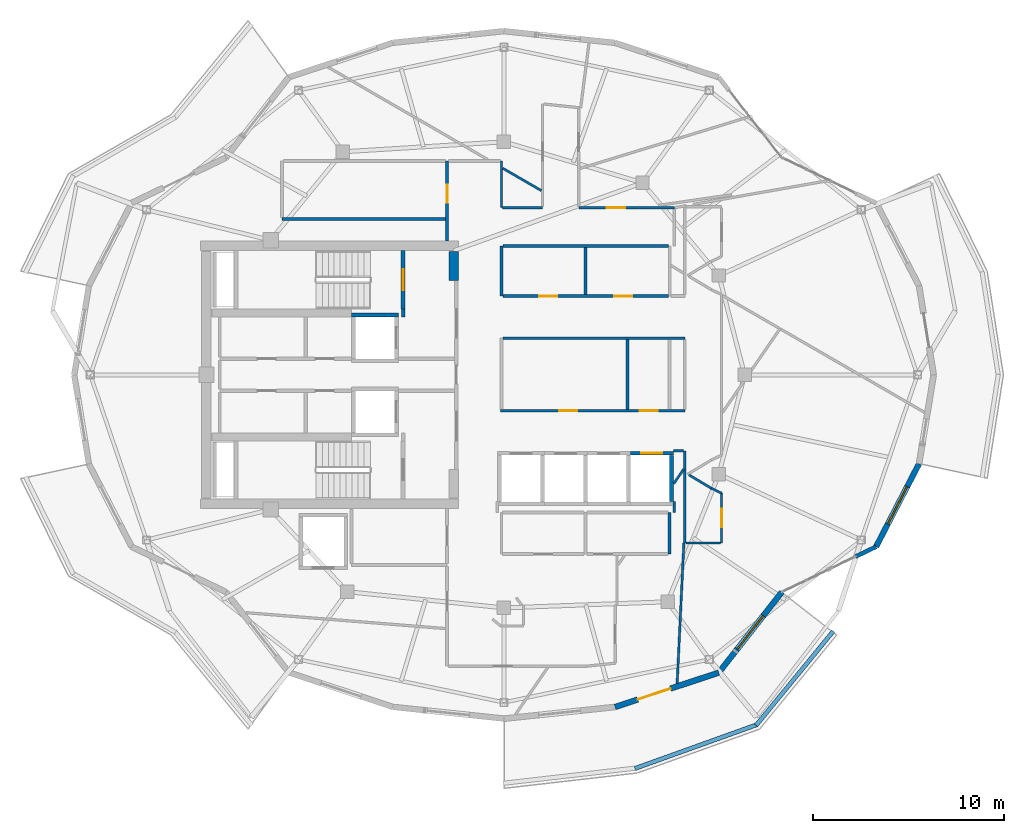
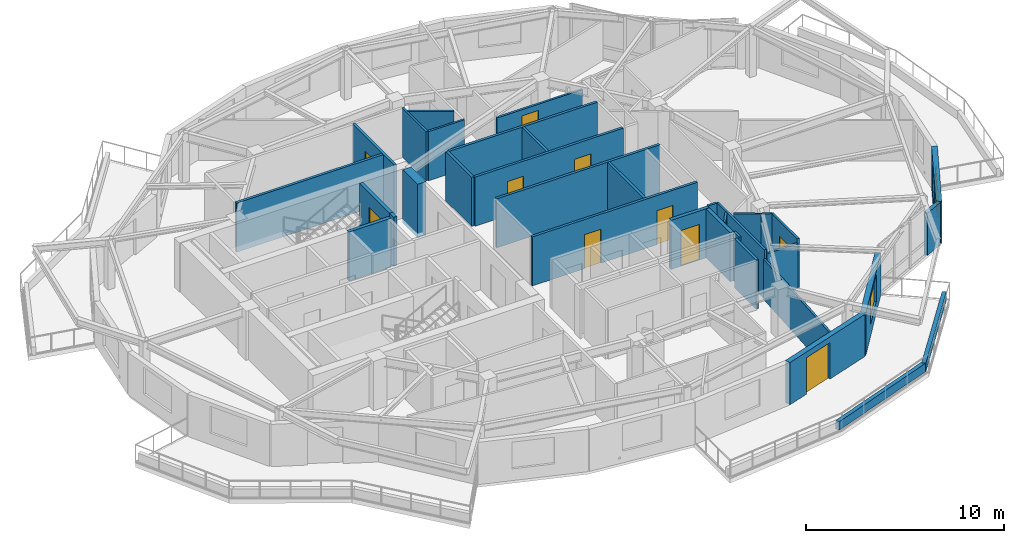
# One storey, part 9 of 14: 35 walls, 10 doors, 2 windows, 12 openings.
"""IFC4 building model written with IfcOpenShell, lengths in metres."""

from ifc_helpers import new_model, si_unit, direction, frame, frame_2d, origin, place, context, subcontext, project, spatial, rectangle, extrude, material, layer, layer_set, type_object, element, fill, save


model = new_model("IFC4")

# Units and contexts
model_context = context("Model", 3, precision=1e-05, world=origin(), true_north=direction((0.0, 1.0)))
body_context = subcontext(model_context, "Body", "Model", "MODEL_VIEW")
ifc_project = project(units=[si_unit("LENGTHUNIT", "METRE"), si_unit("AREAUNIT", "SQUARE_METRE"), si_unit("VOLUMEUNIT", "CUBIC_METRE"), si_unit("PLANEANGLEUNIT", "RADIAN"), si_unit("MASSUNIT", "GRAM", prefix="KILO")], contexts=[model_context])

# Site, building, storey
site_placement = place(None, origin())
site = spatial("IfcSite", under=ifc_project, at=site_placement, CompositionType="ELEMENT")
building_placement = place(site_placement, origin())
building = spatial("IfcBuilding", under=site, at=building_placement, Name="Kolvaren Gate Tower and Convention Centre", CompositionType="ELEMENT")
storey_placement = place(building_placement, frame((0.0, 0.0, 239.300048828125)))
storey = spatial("IfcBuildingStorey", under=building, at=storey_placement, Name="L64", CompositionType="ELEMENT", Elevation=239.300048828125)

# Walls
ifc_material_1 = material(Name="Autoclaved Aerated Masonry Blockwork Class 4 (4.0 MPa)", Category="masonry")
ifc_layer_1 = layer(ifc_material_1, 0.179931640625)
ifc_layer_set_1 = layer_set([ifc_layer_1], Name="Autoclaved Aerated Masonry Blockwork Class 4 (4.0 MPa)")
wall_type_1 = type_object("IfcWallType", Name="ARCH-WL-COMP-180", PredefinedType="SOLIDWALL", material=ifc_layer_set_1)
wall_1_placement = place(storey_placement, frame((24.85009765625, 30.0400390625, 0.0), z_axis=(0.0, 0.0, 1.0), x_axis=(0.0, 1.0, 0.0)))
element("IfcWall", 1, at=wall_1_placement, inside=storey, type_object=wall_type_1, Name="Interior Partition WL-L64-INT-002", PredefinedType="SOLIDWALL", context=body_context, shape_type="SweptSolid", body=[
    extrude(rectangle(XDim=0.419921875, YDim=0.179931640625, at=frame_2d((0.2099609375, 0.0))), origin(), (0.0, 0.0, 1.0), 3.030029296875),
])
ifc_material_2 = material(Name="Fire-Rated Acoustic Gypsum Stud Partition", Category="gypsum")
ifc_layer_2 = layer(ifc_material_2, 0.1201171875)
ifc_layer_set_2 = layer_set([ifc_layer_2], Name="Fire-Rated Acoustic Gypsum Stud Partition")
wall_type_2 = type_object("IfcWallType", Name="ARCH-WL-PART-120", PredefinedType="PARTITIONING", material=ifc_layer_set_2)
wall_2_placement = place(storey_placement, frame((30.0, 35.75, 0.0), z_axis=(0.0, 0.0, 1.0), x_axis=(0.0, 1.0, 0.0)))
element("IfcWall", 2, at=wall_2_placement, inside=storey, type_object=wall_type_2, Name="Interior Partition WL-L64-INT-017", PredefinedType="PARTITIONING", context=body_context, shape_type="SweptSolid", body=[
    extrude(rectangle(XDim=2.449951171875, YDim=0.1201171875, at=frame_2d((1.22509765625, 0.0))), origin(), (0.0, 0.0, 1.0), 3.030029296875),
])
wall_3_placement = place(storey_placement, frame((30.06201171875, 35.75, 0.0), z_axis=(0.0, 0.0, 1.0), x_axis=(1.0, 0.0, 0.0)))
element("IfcWall", 3, at=wall_3_placement, inside=storey, type_object=wall_type_2, Name="Interior Partition WL-L64-INT-032", PredefinedType="PARTITIONING", context=body_context, shape_type="SweptSolid", body=[
    extrude(rectangle(XDim=2.087890625, YDim=0.1201171875, at=frame_2d((1.0439453125, 0.0))), origin(), (0.0, 0.0, 1.0), 3.030029296875),
])

# Wall, opening, door
wall_4_placement = place(storey_placement, frame((34.050048828125, 35.75, 0.0), z_axis=(0.0, 0.0, 1.0), x_axis=(1.0, 0.0, 0.0)))
wall_4 = element("IfcWall", 4, at=wall_4_placement, inside=storey, type_object=wall_type_2, Name="Interior Partition WL-L64-INT-033", PredefinedType="PARTITIONING", context=body_context, shape_type="SweptSolid", body=[
    extrude(rectangle(XDim=5.0, YDim=0.1201171875, at=frame_2d((2.5, 0.0))), origin(), (0.0, 0.0, 1.0), 2.47802734375),
])
opening_1_placement = place(wall_4_placement, frame((1.465087890625, 0.0, 0.0)))
opening_1 = element("IfcOpeningElement", 5, at=opening_1_placement, cuts=wall_4, Name="Opening DR-01", PredefinedType="OPENING", context=body_context, shape_type="SweptSolid", body=[
    extrude(rectangle(XDim=0.949951171875, YDim=2.10009765625, at=frame_2d((0.47509765625, 1.050048828125))), frame((0.0, 0.070068359375, 0.0), z_axis=(0.0, -1.0, 0.0), x_axis=(1.0, 0.0, 0.0)), (0.0, 0.0, 1.0), 0.14013671875),
])
ifc_material_3 = material(Name="Painted Architectural Steelwork ASTM A500 Grade C 345 MPa", Category="steel")
door_type_1 = type_object("IfcDoorType", Name="ARCH-DR-RISER-950", OperationType="SINGLE_SWING_RIGHT", PredefinedType="DOOR", material=ifc_material_3)
door_1_placement = place(opening_1_placement, origin())
door_1 = element("IfcDoor", 6, at=door_1_placement, inside=storey, type_object=door_type_1, Name="Resident Gourmet Market Boutique Door", OperationType="SINGLE_SWING_LEFT", OverallHeight=2.10009765625, OverallWidth=0.949951171875, PredefinedType="DOOR", context=body_context, shape_type="SweptSolid", body=[
    extrude(rectangle(XDim=0.949951171875, YDim=2.10009765625, at=frame_2d((0.47509765625, 1.050048828125))), frame((0.0, 0.02490234375, 0.0), z_axis=(0.0, -1.0, 0.0), x_axis=(1.0, 0.0, 0.0)), (0.0, 0.0, 1.0), 0.050048828125),
])
fill(opening_1, door_1)

# Walls
wall_5_placement = place(storey_placement, frame((39.050048828125, 19.800048828125, 0.0), z_axis=(0.0, 0.0, 1.0), x_axis=(0.0, 1.0, 0.0)))
element("IfcWall", 7, at=wall_5_placement, inside=storey, type_object=wall_type_2, Name="Interior Partition WL-L64-INT-037", PredefinedType="PARTITIONING", context=body_context, shape_type="SweptSolid", body=[
    extrude(rectangle(XDim=0.56005859375, YDim=0.1201171875, at=frame_2d((0.280029296875, 0.0))), origin(), (0.0, 0.0, 1.0), 3.030029296875),
])
wall_6_placement = place(storey_placement, frame((39.60009765625, 18.199951171875, 0.0), z_axis=(0.0, 0.0, 1.0), x_axis=(0.0, 1.0, 0.0)))
element("IfcWall", 8, at=wall_6_placement, inside=storey, type_object=wall_type_2, Name="Interior Partition WL-L64-INT-039", PredefinedType="PARTITIONING", context=body_context, shape_type="SweptSolid", body=[
    extrude(rectangle(XDim=4.820068359375, YDim=0.1201171875, at=frame_2d((2.41015625, 0.0))), origin(), (0.0, 0.0, 1.0), 3.030029296875),
])

# Wall, opening, door
wall_7_placement = place(storey_placement, frame((41.52001953125, 18.199951171875, 0.0), z_axis=(0.0, 0.0, 1.0), x_axis=(0.0, 1.0, 0.0)))
wall_7 = element("IfcWall", 9, at=wall_7_placement, inside=storey, type_object=wall_type_2, Name="Interior Partition WL-L64-INT-043", PredefinedType="PARTITIONING", context=body_context, shape_type="SweptSolid", body=[
    extrude(rectangle(XDim=2.60693359375, YDim=0.1201171875, at=frame_2d((1.303466796875, 0.0))), origin(), (0.0, 0.0, 1.0), 3.030029296875),
])
opening_2_placement = place(wall_7_placement, frame((0.82861328125, 0.0, 0.0)))
opening_2 = element("IfcOpeningElement", 10, at=opening_2_placement, cuts=wall_7, Name="Opening DR-01", PredefinedType="OPENING", context=body_context, shape_type="SweptSolid", body=[
    extrude(rectangle(XDim=0.949951171875, YDim=2.10009765625, at=frame_2d((0.47509765625, 1.050048828125))), frame((0.0, 0.070068359375, 0.0), z_axis=(0.0, -1.0, 0.0), x_axis=(1.0, 0.0, 0.0)), (0.0, 0.0, 1.0), 0.14013671875),
])
door_2_placement = place(opening_2_placement, origin())
door_2 = element("IfcDoor", 11, at=door_2_placement, inside=storey, type_object=door_type_1, Name="Resident Private Study and Home Office Door", OperationType="SINGLE_SWING_LEFT", OverallHeight=2.10009765625, OverallWidth=0.949951171875, PredefinedType="DOOR", context=body_context, shape_type="SweptSolid", body=[
    extrude(rectangle(XDim=0.949951171875, YDim=2.10009765625, at=frame_2d((0.47509765625, 1.050048828125))), frame((0.0, 0.02490234375, 0.0), z_axis=(0.0, -1.0, 0.0), x_axis=(1.0, 0.0, 0.0)), (0.0, 0.0, 1.0), 0.050048828125),
])
fill(opening_2, door_2)

# Walls
wall_8_placement = place(storey_placement, frame((39.810302734375, 21.763916015625, 0.0), z_axis=(0.0, 0.0, 1.0), x_axis=(0.858011245414, -0.513630901273, 0.0)))
element("IfcWall", 12, at=wall_8_placement, inside=storey, type_object=wall_type_2, Name="Interior Partition WL-L64-INT-053", PredefinedType="PARTITIONING", context=body_context, shape_type="SweptSolid", body=[
    extrude(rectangle(XDim=1.370361328125, YDim=0.1201171875, at=frame_2d((0.68505859375, 0.0))), origin(), (0.0, 0.0, 1.0), 3.030029296875),
])
wall_9_placement = place(storey_placement, frame((40.986083984375, 21.06005859375, 0.0), z_axis=(0.0, 0.0, 1.0), x_axis=(0.90356951601, -0.428441512621, 0.0)))
element("IfcWall", 13, at=wall_9_placement, inside=storey, type_object=wall_type_2, Name="Interior Partition WL-L64-INT-054", PredefinedType="PARTITIONING", context=body_context, shape_type="SweptSolid", body=[
    extrude(rectangle(XDim=0.5908203125, YDim=0.1201171875, at=frame_2d((0.29541015625, 0.0))), origin(), (0.0, 0.0, 1.0), 3.030029296875),
])
wall_10_placement = place(storey_placement, frame((39.662109375, 18.199951171875, 0.0), z_axis=(0.0, 0.0, 1.0), x_axis=(1.0, 0.0, 0.0)))
element("IfcWall", 14, at=wall_10_placement, inside=storey, type_object=wall_type_2, Name="Interior Partition WL-L64-INT-055", PredefinedType="PARTITIONING", context=body_context, shape_type="SweptSolid", body=[
    extrude(rectangle(XDim=1.7958984375, YDim=0.1201171875, at=frame_2d((0.89794921875, 0.0))), origin(), (0.0, 0.0, 1.0), 2.77001953125),
])
wall_11_placement = place(storey_placement, frame((39.0, 23.02001953125, 0.0), z_axis=(0.0, 0.0, 1.0), x_axis=(1.0, 0.0, 0.0)))
element("IfcWall", 15, at=wall_11_placement, inside=storey, type_object=wall_type_2, Name="Interior Partition WL-L64-INT-056", PredefinedType="PARTITIONING", context=body_context, shape_type="SweptSolid", body=[
    extrude(rectangle(XDim=0.5380859375, YDim=0.1201171875, at=frame_2d((0.26904296875, 0.0))), origin(), (0.0, 0.0, 1.0), 3.030029296875),
])
wall_12_placement = place(storey_placement, frame((39.02099609375, 21.310302734375, 0.0), z_axis=(0.0, 0.0, 1.0), x_axis=(0.565621769156, 0.824664789024, 0.0)))
element("IfcWall", 16, at=wall_12_placement, inside=storey, type_object=wall_type_2, Name="Interior Partition WL-L64-INT-069", PredefinedType="PARTITIONING", context=body_context, shape_type="SweptSolid", body=[
    extrude(rectangle(XDim=0.914306640625, YDim=0.1201171875, at=frame_2d((0.45703125, 0.0))), origin(), (0.0, 0.0, 1.0), 3.030029296875),
])
wall_13_placement = place(storey_placement, frame((39.194580078125, 10.84912109375, 0.0), z_axis=(0.0, 0.0, 1.0), x_axis=(0.048036414601, 0.998845585099, 0.0)))
element("IfcWall", 17, at=wall_13_placement, inside=storey, type_object=wall_type_2, Name="Interior Partition WL-L64-INT-071", PredefinedType="PARTITIONING", context=body_context, shape_type="SweptSolid", body=[
    extrude(rectangle(XDim=7.359375, YDim=0.1201171875, at=frame_2d((3.6796875, 0.0))), origin(), (0.0, 0.0, 1.0), 2.47802734375),
])
wall_14_placement = place(storey_placement, frame((30.06201171875, 37.81787109375, 0.0), z_axis=(0.0, 0.0, 1.0), x_axis=(0.865476266977, -0.500949928934, 0.0)))
element("IfcWall", 18, at=wall_14_placement, inside=storey, type_object=wall_type_2, Name="Interior Partition WL-L64-INT-073", PredefinedType="PARTITIONING", context=body_context, shape_type="SweptSolid", body=[
    extrude(rectangle(XDim=2.3408203125, YDim=0.1201171875, at=frame_2d((1.17041015625, 0.0))), origin(), (0.0, 0.0, 1.0), 3.030029296875),
])
ifc_material_4 = material(Name="Bogota Sabana Bush-Hammered Sandstone Cladding", Category="masonry")
ifc_layer_3 = layer(ifc_material_4, 0.219970703125)
ifc_layer_set_3 = layer_set([ifc_layer_3], Name="Bogota Sabana Bush-Hammered Sandstone Cladding")
wall_type_3 = type_object("IfcWallType", Name="ARCH-WL-PIER-220", PredefinedType="SOLIDWALL", material=ifc_layer_set_3)
wall_15_placement = place(storey_placement, frame((48.5458984375, 17.488525390625, 0.0), z_axis=(0.0, 0.0, 1.0), x_axis=(0.901384320487, 0.433019984274, 0.0)))
element("IfcWall", 19, at=wall_15_placement, inside=storey, type_object=wall_type_3, Name="Tower L64 Unitised Curtain Wall CW-RES-UNIT Bay 21 Right Column Pier Wrap", PredefinedType="SOLIDWALL", context=body_context, shape_type="SweptSolid", body=[
    extrude(rectangle(XDim=1.18115234375, YDim=0.219970703125, at=frame_2d((0.590576171875, 0.0))), origin(), (0.0, 0.0, 1.0), 2.60498046875),
])
ifc_material_5 = material(Name="Piedmont Cream Honed Limestone Cladding", Category="masonry")
ifc_layer_4 = layer(ifc_material_5, 0.219970703125)
ifc_layer_set_4 = layer_set([ifc_layer_4], Name="Piedmont Cream Honed Limestone Cladding")
wall_type_4 = type_object("IfcWallType", Name="ARCH-WL-PLANTER-220", PredefinedType="PARAPET", material=ifc_layer_set_4)
wall_16_placement = place(storey_placement, frame((36.982177734375, 6.3916015625, 0.0), z_axis=(0.0, 0.0, 1.0), x_axis=(0.941139090914, 0.338019543152, 0.0)))
element("IfcWall", 20, at=wall_16_placement, inside=storey, type_object=wall_type_4, Name="Vertical-Forest Balcony Stone Planter Kerb PK-L64-3.2", PredefinedType="PARAPET", context=body_context, shape_type="SweptSolid", body=[
    extrude(rectangle(XDim=6.806640625, YDim=0.219970703125, at=frame_2d((3.4033203125, 0.0))), origin(), (0.0, 0.0, 1.0), 0.52001953125),
])
wall_17_placement = place(storey_placement, frame((43.322998046875, 8.64599609375, 0.0), z_axis=(0.0, 0.0, 1.0), x_axis=(0.63407318032, 0.77327304492, 0.0)))
element("IfcWall", 21, at=wall_17_placement, inside=storey, type_object=wall_type_4, Name="Vertical-Forest Balcony Stone Planter Kerb PK-L64-3.3", PredefinedType="PARAPET", context=body_context, shape_type="SweptSolid", body=[
    extrude(rectangle(XDim=6.37890625, YDim=0.219970703125, at=frame_2d((3.189453125, 0.0))), origin(), (0.0, 0.0, 1.0), 0.52001953125),
])
ifc_layer_5 = layer(ifc_material_1, 0.199951171875)
ifc_layer_set_5 = layer_set([ifc_layer_5], Name="Autoclaved Aerated Masonry Blockwork Class 4 (4.0 MPa)")
wall_type_5 = type_object("IfcWallType", Name="ARCH-WL-SHAFT-200", PredefinedType="SOLIDWALL", material=ifc_layer_set_5)
wall_18_placement = place(storey_placement, frame((22.14990234375, 30.139892578125, 0.0), z_axis=(0.0, 0.0, 1.0), x_axis=(1.0, 0.0, 0.0)))
element("IfcWall", 22, at=wall_18_placement, inside=storey, type_object=wall_type_5, Name="Elevator FF-01 L64 Fire Shaft Wall N", PredefinedType="SOLIDWALL", context=body_context, shape_type="SweptSolid", body=[
    extrude(rectangle(XDim=2.4501953125, YDim=0.199951171875, at=frame_2d((1.22509765625, 0.0))), origin(), (0.0, 0.0, 1.0), 3.030029296875),
])

# Wall, opening, door
wall_19_placement = place(storey_placement, frame((36.75, 22.89990234375, 0.0), z_axis=(0.0, 0.0, 1.0), x_axis=(1.0, 0.0, 0.0)))
wall_19 = element("IfcWall", 23, at=wall_19_placement, inside=storey, type_object=wall_type_5, Name="Elevator PL-12 L64 Fire Shaft Wall N", PredefinedType="SOLIDWALL", context=body_context, shape_type="SweptSolid", body=[
    extrude(rectangle(XDim=2.25, YDim=0.199951171875, at=frame_2d((1.125, 0.0))), origin(), (0.0, 0.0, 1.0), 3.030029296875),
])
opening_3_placement = place(wall_19_placement, frame((0.574951171875, 0.0, 0.0)))
opening_3 = element("IfcOpeningElement", 24, at=opening_3_placement, cuts=wall_19, Name="Opening LD", PredefinedType="OPENING", context=body_context, shape_type="SweptSolid", body=[
    extrude(rectangle(XDim=1.10009765625, YDim=2.199951171875, at=frame_2d((0.550048828125, 1.10009765625))), frame((0.0, 0.10986328125, 0.0), z_axis=(0.0, -1.0, 0.0), x_axis=(1.0, 0.0, 0.0)), (0.0, 0.0, 1.0), 0.219970703125),
])
ifc_material_6 = material(Name="Brushed Stainless Steel Grade 316L", Category="steel")
door_type_2 = type_object("IfcDoorType", Name="ARCH-DR-LIFT-1100", OperationType="SLIDING_TO_LEFT", PredefinedType="DOOR", material=ifc_material_6)
door_3_placement = place(opening_3_placement, origin())
door_3 = element("IfcDoor", 25, at=door_3_placement, inside=storey, type_object=door_type_2, Name="Elevator PL-12 L64 Sliding Landing Door", OperationType="SLIDING_TO_LEFT", OverallHeight=2.199951171875, OverallWidth=1.10009765625, PredefinedType="DOOR", context=body_context, shape_type="SweptSolid", body=[
    extrude(rectangle(XDim=1.10009765625, YDim=2.199951171875, at=frame_2d((0.550048828125, 1.10009765625))), frame((0.0, 0.02490234375, 0.0), z_axis=(0.0, -1.0, 0.0), x_axis=(1.0, 0.0, 0.0)), (0.0, 0.0, 1.0), 0.050048828125),
])
fill(opening_3, door_3)

# Wall
wall_20_placement = place(storey_placement, frame((38.89990234375, 20.360107421875, 0.0), z_axis=(0.0, 0.0, 1.0), x_axis=(0.0, 1.0, 0.0)))
element("IfcWall", 26, at=wall_20_placement, inside=storey, type_object=wall_type_5, Name="Elevator PL-12 L64 Fire Shaft Wall E", PredefinedType="SOLIDWALL", context=body_context, shape_type="SweptSolid", body=[
    extrude(rectangle(XDim=2.429931640625, YDim=0.199951171875, at=frame_2d((1.21484375, 0.0))), origin(), (0.0, 0.0, 1.0), 3.030029296875),
])

# Wall, opening, door
ifc_layer_6 = layer(ifc_material_5, 0.300048828125)
ifc_layer_set_6 = layer_set([ifc_layer_6], Name="Piedmont Cream Honed Limestone Cladding")
wall_type_6 = type_object("IfcWallType", Name="ARCH-WL-STONE-300", PredefinedType="SOLIDWALL", material=ifc_layer_set_6)
wall_21_placement = place(storey_placement, frame((35.948486328125, 9.61328125, 0.0), z_axis=(0.0, 0.0, 1.0), x_axis=(0.949232769585, 0.314574552605, 0.0)))
wall_21 = element("IfcWall", 27, at=wall_21_placement, inside=storey, type_object=wall_type_6, Name="Tower L64 Honed Stone Spandrel Wall EW-19", PredefinedType="SOLIDWALL", context=body_context, shape_type="SweptSolid", body=[
    extrude(rectangle(XDim=5.716796875, YDim=0.300048828125, at=frame_2d((2.8583984375, 0.0))), origin(), (0.0, 0.0, 1.0), 2.60498046875),
])
opening_4_placement = place(wall_21_placement, frame((1.25, 0.0, 0.0)))
opening_4 = element("IfcOpeningElement", 28, at=opening_4_placement, cuts=wall_21, Name="Opening DB-01", PredefinedType="OPENING", context=body_context, shape_type="SweptSolid", body=[
    extrude(rectangle(XDim=1.800048828125, YDim=2.25, at=frame_2d((0.89990234375, 1.125))), frame((0.0, 0.159912109375, 0.0), z_axis=(0.0, -1.0, 0.0), x_axis=(1.0, 0.0, 0.0)), (0.0, 0.0, 1.0), 0.320068359375),
])
ifc_material_7 = material(Name="Anodized Architectural Aluminium Alloy 6063-T6", Category="aluminium")
door_type_3 = type_object("IfcDoorType", Name="ARCH-DR-BALC-1800", OperationType="SLIDING_TO_LEFT", PredefinedType="DOOR", material=ifc_material_7)
door_4_placement = place(opening_4_placement, frame((1.800048828125, 0.0, 0.0), z_axis=(0.0, 0.0, 1.0), x_axis=(-1.0, 0.0, 0.0)))
door_4 = element("IfcDoor", 29, at=door_4_placement, inside=storey, type_object=door_type_3, Name="Planted Sky Terrace Access Door DB-L64-19", OperationType="SLIDING_TO_LEFT", OverallHeight=2.25, OverallWidth=1.800048828125, PredefinedType="DOOR", context=body_context, shape_type="SweptSolid", body=[
    extrude(rectangle(XDim=1.800048828125, YDim=2.25, at=frame_2d((0.89990234375, 1.125))), frame((0.0, 0.02490234375, 0.0), z_axis=(0.0, -1.0, 0.0), x_axis=(1.0, 0.0, 0.0)), (0.0, 0.0, 1.0), 0.050048828125),
])
fill(opening_4, door_4)

# Wall, opening, window
wall_22_placement = place(storey_placement, frame((41.375, 11.41162109375, 0.0), z_axis=(0.0, 0.0, 1.0), x_axis=(0.61644588519, 0.787397276241, 0.0)))
wall_22 = element("IfcWall", 30, at=wall_22_placement, inside=storey, type_object=wall_type_6, Name="Tower L64 Honed Stone Spandrel Wall EW-20", PredefinedType="SOLIDWALL", context=body_context, shape_type="SweptSolid", body=[
    extrude(rectangle(XDim=5.35693359375, YDim=0.300048828125, at=frame_2d((2.678466796875, 0.0))), origin(), (0.0, 0.0, 1.0), 2.60498046875),
])
opening_5_placement = place(wall_22_placement, frame((1.5791015625, 0.0, 0.719970703125)))
opening_5 = element("IfcOpeningElement", 31, at=opening_5_placement, cuts=wall_22, Name="Opening W-03", PredefinedType="OPENING", context=body_context, shape_type="SweptSolid", body=[
    extrude(rectangle(XDim=2.199951171875, YDim=1.64990234375, at=frame_2d((1.10009765625, 0.824951171875))), frame((0.0, 0.159912109375, 0.0), z_axis=(0.0, -1.0, 0.0), x_axis=(1.0, 0.0, 0.0)), (0.0, 0.0, 1.0), 0.320068359375),
])
ifc_material_8 = material(Name="Low-E Triple Insulated Glazing Unit 44 mm", Category="glass")
window_type = type_object("IfcWindowType", Name="ARCH-WN-RES-2200", PartitioningType="SINGLE_PANEL", PredefinedType="WINDOW", material=ifc_material_8)
window_1_placement = place(opening_5_placement, origin())
window_1 = element("IfcWindow", 32, at=window_1_placement, inside=storey, type_object=window_type, Name="Tower L64 Punched Stone Facade Window W-20", OverallHeight=1.64990234375, OverallWidth=2.199951171875, PartitioningType="SINGLE_PANEL", PredefinedType="WINDOW", context=body_context, shape_type="SweptSolid", body=[
    extrude(rectangle(XDim=2.199951171875, YDim=1.64990234375, at=frame_2d((1.10009765625, 0.824951171875))), frame((0.0, 0.030029296875, 0.0), z_axis=(0.0, -1.0, 0.0), x_axis=(1.0, 0.0, 0.0)), (0.0, 0.0, 1.0), 0.06005859375),
])
fill(opening_5, window_1)

wall_23_placement = place(storey_placement, frame((49.610595703125, 18.0, 0.0), z_axis=(0.0, 0.0, 1.0), x_axis=(0.459793771602, 0.888025724625, 0.0)))
wall_23 = element("IfcWall", 33, at=wall_23_placement, inside=storey, type_object=wall_type_6, Name="Tower L64 Honed Stone Spandrel Wall EW-22", PredefinedType="SOLIDWALL", context=body_context, shape_type="SweptSolid", body=[
    extrude(rectangle(XDim=4.888671875, YDim=0.300048828125, at=frame_2d((2.4443359375, 0.0))), origin(), (0.0, 0.0, 1.0), 2.60498046875),
])
opening_6_placement = place(wall_23_placement, frame((1.343994140625, 0.0, 0.719970703125)))
opening_6 = element("IfcOpeningElement", 34, at=opening_6_placement, cuts=wall_23, Name="Opening W-03", PredefinedType="OPENING", context=body_context, shape_type="SweptSolid", body=[
    extrude(rectangle(XDim=2.199951171875, YDim=1.64990234375, at=frame_2d((1.10009765625, 0.824951171875))), frame((0.0, 0.159912109375, 0.0), z_axis=(0.0, -1.0, 0.0), x_axis=(1.0, 0.0, 0.0)), (0.0, 0.0, 1.0), 0.320068359375),
])
window_2_placement = place(opening_6_placement, origin())
window_2 = element("IfcWindow", 35, at=window_2_placement, inside=storey, type_object=window_type, Name="Tower L64 Punched Stone Facade Window W-22", OverallHeight=1.64990234375, OverallWidth=2.199951171875, PartitioningType="SINGLE_PANEL", PredefinedType="WINDOW", context=body_context, shape_type="SweptSolid", body=[
    extrude(rectangle(XDim=2.199951171875, YDim=1.64990234375, at=frame_2d((1.10009765625, 0.824951171875))), frame((0.0, 0.030029296875, 0.0), z_axis=(0.0, -1.0, 0.0), x_axis=(1.0, 0.0, 0.0)), (0.0, 0.0, 1.0), 0.06005859375),
])
fill(opening_6, window_2)

# Wall, opening, door
ifc_material_9 = material(Name="Moisture-Resistant Cement-Board Acoustic Partition", Category="gypsum")
ifc_layer_7 = layer(ifc_material_9, 0.14990234375)
ifc_layer_set_7 = layer_set([ifc_layer_7], Name="Moisture-Resistant Cement-Board Acoustic Partition")
wall_type_7 = type_object("IfcWallType", Name="ARCH-WL-WET-150", PredefinedType="PARTITIONING", material=ifc_layer_set_7)
wall_24_placement = place(storey_placement, frame((27.14990234375, 34.001953125, 0.0), z_axis=(0.0, 0.0, 1.0), x_axis=(0.0, 1.0, 0.0)))
wall_24 = element("IfcWall", 36, at=wall_24_placement, inside=storey, type_object=wall_type_7, Name="Interior Partition WL-L64-INT-012", PredefinedType="PARTITIONING", context=body_context, shape_type="SweptSolid", body=[
    extrude(rectangle(XDim=4.197998046875, YDim=0.14990234375, at=frame_2d((2.09912109375, 0.0))), origin(), (0.0, 0.0, 1.0), 3.030029296875),
])
opening_7_placement = place(wall_24_placement, frame((1.998046875, 0.0, 0.0)))
opening_7 = element("IfcOpeningElement", 37, at=opening_7_placement, cuts=wall_24, Name="Opening DR-01", PredefinedType="OPENING", context=body_context, shape_type="SweptSolid", body=[
    extrude(rectangle(XDim=0.949951171875, YDim=2.10009765625, at=frame_2d((0.47509765625, 1.050048828125))), frame((0.0, 0.0849609375, 0.0), z_axis=(0.0, -1.0, 0.0), x_axis=(1.0, 0.0, 0.0)), (0.0, 0.0, 1.0), 0.169921875),
])
door_5_placement = place(opening_7_placement, origin())
door_5 = element("IfcDoor", 38, at=door_5_placement, inside=storey, type_object=door_type_1, Name="Reclaimed North Resident Store Door", OperationType="SINGLE_SWING_RIGHT", OverallHeight=2.10009765625, OverallWidth=0.949951171875, PredefinedType="DOOR", context=body_context, shape_type="SweptSolid", body=[
    extrude(rectangle(XDim=0.949951171875, YDim=2.10009765625, at=frame_2d((0.47509765625, 1.050048828125))), frame((0.0, 0.02490234375, 0.0), z_axis=(0.0, -1.0, 0.0), x_axis=(1.0, 0.0, 0.0)), (0.0, 0.0, 1.0), 0.050048828125),
])
fill(opening_7, door_5)

# Wall, openings, doors
wall_25_placement = place(storey_placement, frame((29.9599609375, 25.1201171875, 0.0), z_axis=(0.0, 0.0, 1.0), x_axis=(1.0, 0.0, 0.0)))
wall_25 = element("IfcWall", 39, at=wall_25_placement, inside=storey, type_object=wall_type_7, Name="Interior Partition WL-L64-INT-013", PredefinedType="PARTITIONING", context=body_context, shape_type="SweptSolid", body=[
    extrude(rectangle(XDim=9.64013671875, YDim=0.14990234375, at=frame_2d((4.820068359375, 0.0))), origin(), (0.0, 0.0, 1.0), 3.030029296875),
])
opening_8_placement = place(wall_25_placement, frame((3.050048828125, 0.0, 0.0)))
opening_8 = element("IfcOpeningElement", 40, at=opening_8_placement, cuts=wall_25, Name="Opening DR-01", PredefinedType="OPENING", context=body_context, shape_type="SweptSolid", body=[
    extrude(rectangle(XDim=0.949951171875, YDim=2.10009765625, at=frame_2d((0.47509765625, 1.050048828125))), frame((0.0, 0.0849609375, 0.0), z_axis=(0.0, -1.0, 0.0), x_axis=(1.0, 0.0, 0.0)), (0.0, 0.0, 1.0), 0.169921875),
])
opening_9_placement = place(wall_25_placement, frame((7.264892578125, 0.0, 0.0)))
opening_9 = element("IfcOpeningElement", 41, at=opening_9_placement, cuts=wall_25, Name="Opening DR-01", PredefinedType="OPENING", context=body_context, shape_type="SweptSolid", body=[
    extrude(rectangle(XDim=0.949951171875, YDim=2.10009765625, at=frame_2d((0.47509765625, 1.050048828125))), frame((0.0, 0.0849609375, 0.0), z_axis=(0.0, -1.0, 0.0), x_axis=(1.0, 0.0, 0.0)), (0.0, 0.0, 1.0), 0.169921875),
])
door_6_placement = place(opening_8_placement, origin())
door_6 = element("IfcDoor", 42, at=door_6_placement, inside=storey, type_object=door_type_1, Name="Accessible Universal Washroom Door", OperationType="SINGLE_SWING_RIGHT", OverallHeight=2.10009765625, OverallWidth=0.949951171875, PredefinedType="DOOR", context=body_context, shape_type="SweptSolid", body=[
    extrude(rectangle(XDim=0.949951171875, YDim=2.10009765625, at=frame_2d((0.47509765625, 1.050048828125))), frame((0.0, 0.02490234375, 0.0), z_axis=(0.0, -1.0, 0.0), x_axis=(1.0, 0.0, 0.0)), (0.0, 0.0, 1.0), 0.050048828125),
])
fill(opening_8, door_6)
door_7_placement = place(opening_9_placement, origin())
door_7 = element("IfcDoor", 43, at=door_7_placement, inside=storey, type_object=door_type_1, Name="Floor Janitor and Supply Store Door", OperationType="SINGLE_SWING_LEFT", OverallHeight=2.10009765625, OverallWidth=0.949951171875, PredefinedType="DOOR", context=body_context, shape_type="SweptSolid", body=[
    extrude(rectangle(XDim=0.949951171875, YDim=2.10009765625, at=frame_2d((0.47509765625, 1.050048828125))), frame((0.0, 0.02490234375, 0.0), z_axis=(0.0, -1.0, 0.0), x_axis=(1.0, 0.0, 0.0)), (0.0, 0.0, 1.0), 0.050048828125),
])
fill(opening_9, door_7)

# Walls
wall_26_placement = place(storey_placement, frame((30.0, 31.1201171875, 0.0), z_axis=(0.0, 0.0, 1.0), x_axis=(0.0, 1.0, 0.0)))
element("IfcWall", 44, at=wall_26_placement, inside=storey, type_object=wall_type_7, Name="Interior Partition WL-L64-INT-016", PredefinedType="PARTITIONING", context=body_context, shape_type="SweptSolid", body=[
    extrude(rectangle(XDim=2.6298828125, YDim=0.14990234375, at=frame_2d((1.31494140625, 0.0))), origin(), (0.0, 0.0, 1.0), 3.030029296875),
])
wall_27_placement = place(storey_placement, frame((30.076904296875, 28.919921875, 0.0), z_axis=(0.0, 0.0, 1.0), x_axis=(1.0, 0.0, 0.0)))
element("IfcWall", 45, at=wall_27_placement, inside=storey, type_object=wall_type_7, Name="Interior Partition WL-L64-INT-018", PredefinedType="PARTITIONING", context=body_context, shape_type="SweptSolid", body=[
    extrude(rectangle(XDim=9.523193359375, YDim=0.14990234375, at=frame_2d((4.76171875, 0.0))), origin(), (0.0, 0.0, 1.0), 3.030029296875),
])
wall_28_placement = place(storey_placement, frame((36.60009765625, 25.197021484375, 0.0), z_axis=(0.0, 0.0, 1.0), x_axis=(0.0, 1.0, 0.0)))
element("IfcWall", 46, at=wall_28_placement, inside=storey, type_object=wall_type_7, Name="Interior Partition WL-L64-INT-019", PredefinedType="PARTITIONING", context=body_context, shape_type="SweptSolid", body=[
    extrude(rectangle(XDim=3.64599609375, YDim=0.14990234375, at=frame_2d((1.822998046875, 0.0))), origin(), (0.0, 0.0, 1.0), 3.030029296875),
])
wall_29_placement = place(storey_placement, frame((38.800048828125, 17.6201171875, 0.0), z_axis=(0.0, 0.0, 1.0), x_axis=(0.0, 1.0, 0.0)))
element("IfcWall", 47, at=wall_29_placement, inside=storey, type_object=wall_type_7, Name="Interior Partition WL-L64-INT-020", PredefinedType="PARTITIONING", context=body_context, shape_type="SweptSolid", body=[
    extrude(rectangle(XDim=2.179931640625, YDim=0.14990234375, at=frame_2d((1.08984375, 0.0))), origin(), (0.0, 0.0, 1.0), 3.030029296875),
])

# Wall, openings, doors
wall_30_placement = place(storey_placement, frame((30.076904296875, 31.1201171875, 0.0), z_axis=(0.0, 0.0, 1.0), x_axis=(1.0, 0.0, 0.0)))
wall_30 = element("IfcWall", 48, at=wall_30_placement, inside=storey, type_object=wall_type_7, Name="Interior Partition WL-L64-INT-023", PredefinedType="PARTITIONING", context=body_context, shape_type="SweptSolid", body=[
    extrude(rectangle(XDim=8.6611328125, YDim=0.14990234375, at=frame_2d((4.33056640625, 0.0))), origin(), (0.0, 0.0, 1.0), 3.030029296875),
])
opening_10_placement = place(wall_30_placement, frame((1.8916015625, 0.0, 0.0)))
opening_10 = element("IfcOpeningElement", 49, at=opening_10_placement, cuts=wall_30, Name="Opening DR-01", PredefinedType="OPENING", context=body_context, shape_type="SweptSolid", body=[
    extrude(rectangle(XDim=0.949951171875, YDim=2.10009765625, at=frame_2d((0.47509765625, 1.050048828125))), frame((0.0, 0.0849609375, 0.0), z_axis=(0.0, -1.0, 0.0), x_axis=(1.0, 0.0, 0.0)), (0.0, 0.0, 1.0), 0.169921875),
])
opening_11_placement = place(wall_30_placement, frame((5.81201171875, 0.0, 0.0)))
opening_11 = element("IfcOpeningElement", 50, at=opening_11_placement, cuts=wall_30, Name="Opening DR-01", PredefinedType="OPENING", context=body_context, shape_type="SweptSolid", body=[
    extrude(rectangle(XDim=0.949951171875, YDim=2.10009765625, at=frame_2d((0.47509765625, 1.050048828125))), frame((0.0, 0.0849609375, 0.0), z_axis=(0.0, -1.0, 0.0), x_axis=(1.0, 0.0, 0.0)), (0.0, 0.0, 1.0), 0.169921875),
])
door_8_placement = place(opening_10_placement, origin())
door_8 = element("IfcDoor", 51, at=door_8_placement, inside=storey, type_object=door_type_1, Name="Valet and Linen Store Door", OperationType="SINGLE_SWING_RIGHT", OverallHeight=2.10009765625, OverallWidth=0.949951171875, PredefinedType="DOOR", context=body_context, shape_type="SweptSolid", body=[
    extrude(rectangle(XDim=0.949951171875, YDim=2.10009765625, at=frame_2d((0.47509765625, 1.050048828125))), frame((0.0, 0.02490234375, 0.0), z_axis=(0.0, -1.0, 0.0), x_axis=(1.0, 0.0, 0.0)), (0.0, 0.0, 1.0), 0.050048828125),
])
fill(opening_10, door_8)
door_9_placement = place(opening_11_placement, origin())
door_9 = element("IfcDoor", 52, at=door_9_placement, inside=storey, type_object=door_type_1, Name="Ice and Beverage Pantry Door", OperationType="SINGLE_SWING_LEFT", OverallHeight=2.10009765625, OverallWidth=0.949951171875, PredefinedType="DOOR", context=body_context, shape_type="SweptSolid", body=[
    extrude(rectangle(XDim=0.949951171875, YDim=2.10009765625, at=frame_2d((0.47509765625, 1.050048828125))), frame((0.0, 0.02490234375, 0.0), z_axis=(0.0, -1.0, 0.0), x_axis=(1.0, 0.0, 0.0)), (0.0, 0.0, 1.0), 0.050048828125),
])
fill(opening_11, door_9)

# Walls
wall_31_placement = place(storey_placement, frame((30.076904296875, 33.75, 0.0), z_axis=(0.0, 0.0, 1.0), x_axis=(1.0, 0.0, 0.0)))
element("IfcWall", 53, at=wall_31_placement, inside=storey, type_object=wall_type_7, Name="Interior Partition WL-L64-INT-024", PredefinedType="PARTITIONING", context=body_context, shape_type="SweptSolid", body=[
    extrude(rectangle(XDim=8.6611328125, YDim=0.14990234375, at=frame_2d((4.33056640625, 0.0))), origin(), (0.0, 0.0, 1.0), 3.030029296875),
])
wall_32_placement = place(storey_placement, frame((34.39990234375, 31.197021484375, 0.0), z_axis=(0.0, 0.0, 1.0), x_axis=(0.0, 1.0, 0.0)))
element("IfcWall", 54, at=wall_32_placement, inside=storey, type_object=wall_type_7, Name="Interior Partition WL-L64-INT-026", PredefinedType="PARTITIONING", context=body_context, shape_type="SweptSolid", body=[
    extrude(rectangle(XDim=2.47607421875, YDim=0.14990234375, at=frame_2d((1.238037109375, 0.0))), origin(), (0.0, 0.0, 1.0), 3.030029296875),
])
wall_33_placement = place(storey_placement, frame((18.5, 35.159912109375, 0.0), z_axis=(0.0, 0.0, 1.0), x_axis=(1.0, 0.0, 0.0)))
element("IfcWall", 55, at=wall_33_placement, inside=storey, type_object=wall_type_7, Name="Interior Partition WL-L64-INT-029", PredefinedType="PARTITIONING", context=body_context, shape_type="SweptSolid", body=[
    extrude(rectangle(XDim=8.572998046875, YDim=0.14990234375, at=frame_2d((4.28662109375, 0.0))), origin(), (0.0, 0.0, 1.0), 3.030029296875),
])
ifc_material_10 = material(Name="Concrete C50/60", Category="concrete")
ifc_layer_8 = layer(ifc_material_10, 0.5)
ifc_layer_set_8 = layer_set([ifc_layer_8], Name="Concrete C50/60")
wall_type_8 = type_object("IfcWallType", Name="STR-WL-CORE-500", PredefinedType="SHEAR", material=ifc_layer_set_8)
wall_34_placement = place(storey_placement, frame((27.5, 31.949951171875, -0.27001953125), z_axis=(0.0, 0.0, 1.0), x_axis=(0.0, 1.0, 0.0)))
element("IfcWall", 56, at=wall_34_placement, inside=storey, type_object=wall_type_8, Name="Tower L64 Offset Core Shear Wall EN", PredefinedType="SHEAR", context=body_context, shape_type="SweptSolid", body=[
    extrude(rectangle(XDim=1.5, YDim=0.5, at=frame_2d((0.75, 0.0))), origin(), (0.0, 0.0, 1.0), 3.300048828125),
])

# Wall, opening, door
ifc_layer_9 = layer(ifc_material_10, 0.199951171875)
ifc_layer_set_9 = layer_set([ifc_layer_9], Name="Concrete C50/60")
wall_type_9 = type_object("IfcWallType", Name="STR-WL-SHAFT-200", PredefinedType="SHEAR", material=ifc_layer_set_9)
wall_35_placement = place(storey_placement, frame((24.85009765625, 30.4599609375, -0.27001953125), z_axis=(0.0, 0.0, 1.0), x_axis=(0.0, 1.0, 0.0)))
wall_35 = element("IfcWall", 57, at=wall_35_placement, inside=storey, type_object=wall_type_9, Name="Tower North Exit Stair ST-T1 L64 Structural Shear Enclosure Wall NEAR", PredefinedType="SHEAR", context=body_context, shape_type="SweptSolid", body=[
    extrude(rectangle(XDim=3.0380859375, YDim=0.199951171875, at=frame_2d((1.51904296875, 0.0))), origin(), (0.0, 0.0, 1.0), 3.300048828125),
])
opening_12_placement = place(wall_35_placement, frame((0.968994140625, 0.0, 0.27001953125)))
opening_12 = element("IfcOpeningElement", 58, at=opening_12_placement, cuts=wall_35, Name="Opening DS-01", PredefinedType="OPENING", context=body_context, shape_type="SweptSolid", body=[
    extrude(rectangle(XDim=1.10009765625, YDim=2.14990234375, at=frame_2d((0.550048828125, 1.074951171875))), frame((0.0, 0.10986328125, 0.0), z_axis=(0.0, -1.0, 0.0), x_axis=(1.0, 0.0, 0.0)), (0.0, 0.0, 1.0), 0.219970703125),
])
door_type_4 = type_object("IfcDoorType", Name="ARCH-DR-STAIR-1100", OperationType="SINGLE_SWING_LEFT", PredefinedType="DOOR", material=ifc_material_3)
door_10_placement = place(opening_12_placement, origin())
door_10 = element("IfcDoor", 59, at=door_10_placement, inside=storey, type_object=door_type_4, Name="Tower North Exit Stair ST-T1 L64 Fire Exit Stair Door", OperationType="SINGLE_SWING_RIGHT", OverallHeight=2.14990234375, OverallWidth=1.10009765625, PredefinedType="DOOR", context=body_context, shape_type="SweptSolid", body=[
    extrude(rectangle(XDim=1.10009765625, YDim=2.14990234375, at=frame_2d((0.550048828125, 1.074951171875))), frame((0.0, 0.02490234375, 0.0), z_axis=(0.0, -1.0, 0.0), x_axis=(1.0, 0.0, 0.0)), (0.0, 0.0, 1.0), 0.050048828125),
])
fill(opening_12, door_10)

save(model, "model.ifc")
